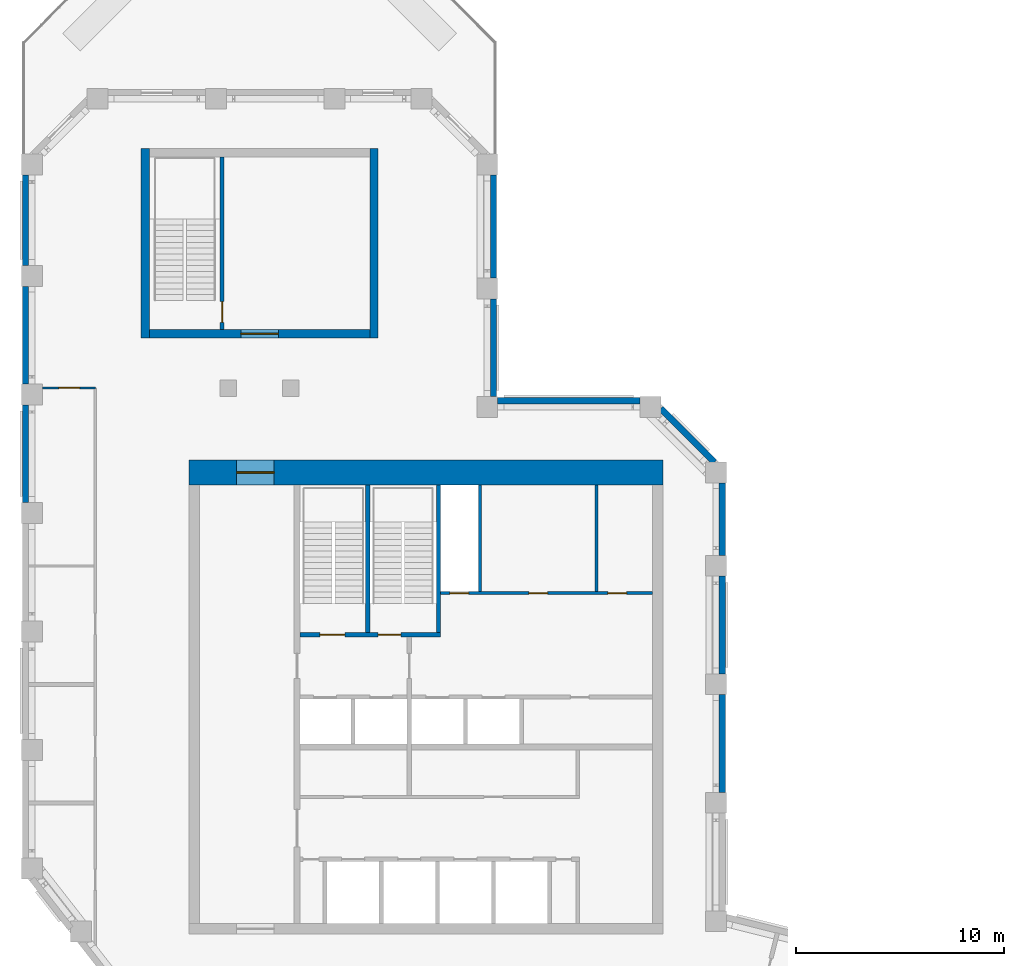
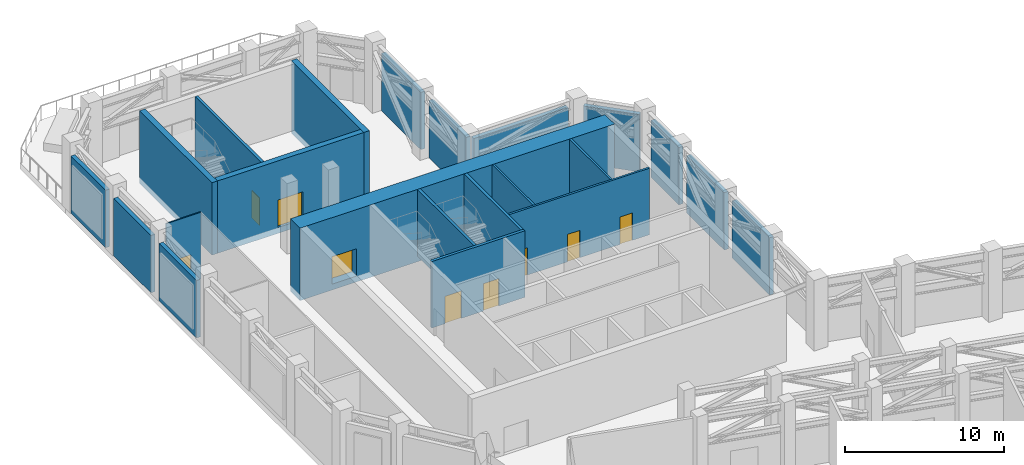
# One storey, part 6 of 8: 22 walls, 9 doors, 9 openings.
"""IFC4 building model written with IfcOpenShell, lengths in metres."""

from ifc_helpers import new_model, si_unit, direction, frame, frame_2d, origin, place, context, subcontext, project, spatial, rectangle, extrude, material, layer, layer_set, type_object, element, fill, save


model = new_model("IFC4")

# Units and contexts
model_context = context("Model", 3, precision=1e-05, world=origin(), true_north=direction((0.0, 1.0)))
body_context = subcontext(model_context, "Body", "Model", "MODEL_VIEW")
ifc_project = project(units=[si_unit("LENGTHUNIT", "METRE"), si_unit("AREAUNIT", "SQUARE_METRE"), si_unit("VOLUMEUNIT", "CUBIC_METRE"), si_unit("PLANEANGLEUNIT", "RADIAN"), si_unit("MASSUNIT", "GRAM", prefix="KILO")], contexts=[model_context])

# Site, building, storey
site_placement = place(None, origin())
site = spatial("IfcSite", under=ifc_project, at=site_placement, CompositionType="ELEMENT")
building_placement = place(site_placement, origin())
building = spatial("IfcBuilding", under=site, at=building_placement, Name="Meshkara Civic Tower", CompositionType="ELEMENT")
storey_placement = place(building_placement, frame((0.0, 0.0, 348.60009765625)))
storey = spatial("IfcBuildingStorey", under=building, at=storey_placement, Name="L80", CompositionType="ELEMENT", Elevation=348.60009765625)

# Wall, openings, doors
ifc_material_1 = material(Name="Blockwork", Category="masonry")
ifc_layer_1 = layer(ifc_material_1, 0.14990234375)
ifc_layer_set_1 = layer_set([ifc_layer_1], Name="Core partition 150")
wall_type_1 = type_object("IfcWallType", Name="Core partition 150", PredefinedType="PARTITIONING", material=ifc_layer_set_1)
wall_1_placement = place(storey_placement, frame((20.10009765625, 30.5, 0.0), z_axis=(0.0, 0.0, 1.0), x_axis=(1.0, 0.0, 0.0)))
wall_1 = element("IfcWall", 1, at=wall_1_placement, inside=storey, type_object=wall_type_1, Name="L80-C010", PredefinedType="PARTITIONING", context=body_context, shape_type="SweptSolid", body=[
    extrude(rectangle(XDim=10.199951171875, YDim=0.14990234375, at=frame_2d((5.10009765625, 0.0))), origin(), (0.0, 0.0, 1.0), 5.099853515625),
])
opening_1_placement = place(wall_1_placement, frame((0.449951171875, 0.0, 0.0)))
opening_1 = element("IfcOpeningElement", 2, at=opening_1_placement, cuts=wall_1, Name="Opening L80-K014", PredefinedType="OPENING", context=body_context, shape_type="SweptSolid", body=[
    extrude(rectangle(XDim=0.89990234375, YDim=2.10009765625, at=frame_2d((0.449951171875, 1.050048828125))), frame((0.0, 0.0849609375, 0.0), z_axis=(0.0, -1.0, 0.0), x_axis=(1.0, 0.0, 0.0)), (0.0, 0.0, 1.0), 0.169921875),
])
opening_2_placement = place(wall_1_placement, frame((4.25, 0.0, 0.0)))
opening_2 = element("IfcOpeningElement", 3, at=opening_2_placement, cuts=wall_1, Name="Opening L80-K015", PredefinedType="OPENING", context=body_context, shape_type="SweptSolid", body=[
    extrude(rectangle(XDim=0.89990234375, YDim=2.10009765625, at=frame_2d((0.449951171875, 1.050048828125))), frame((0.0, 0.0849609375, 0.0), z_axis=(0.0, -1.0, 0.0), x_axis=(1.0, 0.0, 0.0)), (0.0, 0.0, 1.0), 0.169921875),
])
opening_3_placement = place(wall_1_placement, frame((8.050048828125, 0.0, 0.0)))
opening_3 = element("IfcOpeningElement", 4, at=opening_3_placement, cuts=wall_1, Name="Opening L80-K016", PredefinedType="OPENING", context=body_context, shape_type="SweptSolid", body=[
    extrude(rectangle(XDim=0.89990234375, YDim=2.10009765625, at=frame_2d((0.449951171875, 1.050048828125))), frame((0.0, 0.0849609375, 0.0), z_axis=(0.0, -1.0, 0.0), x_axis=(1.0, 0.0, 0.0)), (0.0, 0.0, 1.0), 0.169921875),
])
ifc_material_2 = material(Name="Timber door leaf in steel frame", Category="steel")
door_type_1 = type_object("IfcDoorType", Name="Core room door 900", OperationType="SINGLE_SWING_LEFT", PredefinedType="DOOR", material=ifc_material_2)
door_1_placement = place(opening_2_placement, origin())
door_1 = element("IfcDoor", 5, at=door_1_placement, inside=storey, type_object=door_type_1, Name="L80-K015", OperationType="SINGLE_SWING_RIGHT", OverallHeight=2.10009765625, OverallWidth=0.89990234375, PredefinedType="DOOR", context=body_context, shape_type="SweptSolid", body=[
    extrude(rectangle(XDim=0.89990234375, YDim=2.10009765625, at=frame_2d((0.449951171875, 1.050048828125))), frame((0.0, 0.02490234375, 0.0), z_axis=(0.0, -1.0, 0.0), x_axis=(1.0, 0.0, 0.0)), (0.0, 0.0, 1.0), 0.050048828125),
])
fill(opening_2, door_1)
door_2_placement = place(opening_3_placement, origin())
door_2 = element("IfcDoor", 6, at=door_2_placement, inside=storey, type_object=door_type_1, Name="L80-K016", OperationType="SINGLE_SWING_RIGHT", OverallHeight=2.10009765625, OverallWidth=0.89990234375, PredefinedType="DOOR", context=body_context, shape_type="SweptSolid", body=[
    extrude(rectangle(XDim=0.89990234375, YDim=2.10009765625, at=frame_2d((0.449951171875, 1.050048828125))), frame((0.0, 0.02490234375, 0.0), z_axis=(0.0, -1.0, 0.0), x_axis=(1.0, 0.0, 0.0)), (0.0, 0.0, 1.0), 0.050048828125),
])
fill(opening_3, door_2)
ifc_material_3 = material(Name="Fire-rated door leaf in steel frame", Category="steel")
door_type_2 = type_object("IfcDoorType", Name="Riser door 900", OperationType="SINGLE_SWING_LEFT", PredefinedType="DOOR", material=ifc_material_3)
door_3_placement = place(opening_1_placement, origin())
door_3 = element("IfcDoor", 7, at=door_3_placement, inside=storey, type_object=door_type_2, Name="L80-K014", OperationType="SINGLE_SWING_RIGHT", OverallHeight=2.10009765625, OverallWidth=0.89990234375, PredefinedType="DOOR", context=body_context, shape_type="SweptSolid", body=[
    extrude(rectangle(XDim=0.89990234375, YDim=2.10009765625, at=frame_2d((0.449951171875, 1.050048828125))), frame((0.0, 0.02490234375, 0.0), z_axis=(0.0, -1.0, 0.0), x_axis=(1.0, 0.0, 0.0)), (0.0, 0.0, 1.0), 0.050048828125),
])
fill(opening_1, door_3)

# Walls
for number, where, z_axis, x_axis, name in (
    (8, (22.0, 30.574951171875, 0.0), (0.0, 0.0, 1.0), (0.0, 1.0, 0.0), "L80-C020"),
    (9, (27.60009765625, 30.574951171875, 0.0), (0.0, 0.0, 1.0), (0.0, 1.0, 0.0), "L80-C026"),
):
    element("IfcWall", number, at=place(storey_placement, frame(where, z_axis=z_axis, x_axis=x_axis)), inside=storey, type_object=wall_type_1, Name=name, PredefinedType="PARTITIONING", context=body_context, shape_type="SweptSolid", body=[
        extrude(rectangle(XDim=5.125, YDim=0.14990234375, at=frame_2d((2.5625, 0.0))), origin(), (0.0, 0.0, 1.0), 5.099853515625),
    ])

# Wall, opening, door
ifc_material_4 = material(Name="Concrete C60", Category="concrete")
ifc_layer_2 = layer(ifc_material_4, 1.199951171875)
ifc_layer_set_2 = layer_set([ifc_layer_2], Name="Core ring wall 1200 C60")
wall_type_2 = type_object("IfcWallType", Name="Core ring wall 1200 C60", PredefinedType="SHEAR", material=ifc_layer_set_2)
wall_2_placement = place(storey_placement, frame((8.0, 36.300048828125, -0.4501953125), z_axis=(0.0, 0.0, 1.0), x_axis=(1.0, 0.0, 0.0)))
wall_2 = element("IfcWall", 10, at=wall_2_placement, inside=storey, type_object=wall_type_2, Name="L80-C002", PredefinedType="SHEAR", context=body_context, shape_type="SweptSolid", body=[
    extrude(rectangle(XDim=22.800048828125, YDim=1.199951171875, at=frame_2d((11.39990234375, 0.0))), origin(), (0.0, 0.0, 1.0), 5.550048828125),
])
opening_4_placement = place(wall_2_placement, frame((2.300048828125, 0.0, 0.449951171875)))
opening_4 = element("IfcOpeningElement", 11, at=opening_4_placement, cuts=wall_2, Name="Opening L80-K022", PredefinedType="OPENING", context=body_context, shape_type="SweptSolid", body=[
    extrude(rectangle(XDim=1.800048828125, YDim=2.10009765625, at=frame_2d((0.89990234375, 1.050048828125))), frame((0.0, 0.60986328125, 0.0), z_axis=(0.0, -1.0, 0.0), x_axis=(1.0, 0.0, 0.0)), (0.0, 0.0, 1.0), 1.219970703125),
])
ifc_material_5 = material(Name="Fire-rated door leaf in steel frame", Category="steel")
door_type_3 = type_object("IfcDoorType", Name="Core double door 1800 EI 60", OperationType="DOUBLE_DOOR_SINGLE_SWING", PredefinedType="DOOR", material=ifc_material_5)
door_4_placement = place(opening_4_placement, origin())
door_4 = element("IfcDoor", 12, at=door_4_placement, inside=storey, type_object=door_type_3, Name="L80-K022", OperationType="DOUBLE_DOOR_SINGLE_SWING", OverallHeight=2.10009765625, OverallWidth=1.800048828125, PredefinedType="DOOR", context=body_context, shape_type="SweptSolid", body=[
    extrude(rectangle(XDim=1.800048828125, YDim=2.10009765625, at=frame_2d((0.89990234375, 1.050048828125))), frame((0.0, 0.02490234375, 0.0), z_axis=(0.0, -1.0, 0.0), x_axis=(1.0, 0.0, 0.0)), (0.0, 0.0, 1.0), 0.050048828125),
])
fill(opening_4, door_4)

ifc_material_6 = material(Name="Corridor wall 100")
ifc_layer_3 = layer(ifc_material_6, 0.10009765625)
ifc_layer_set_3 = layer_set([ifc_layer_3], Name="Corridor wall 100")
wall_type_3 = type_object("IfcWallType", Name="Corridor wall 100", PredefinedType="PARTITIONING", material=ifc_layer_set_3)
wall_3_placement = place(storey_placement, frame((0.969970703125, 40.3701171875, 0.0), z_axis=(0.0, 0.0, 1.0), x_axis=(1.0, 0.0, 0.0)))
wall_3 = element("IfcWall", 13, at=wall_3_placement, inside=storey, type_object=wall_type_3, Name="L80-R001", PredefinedType="PARTITIONING", context=body_context, shape_type="SweptSolid", body=[
    extrude(rectangle(XDim=2.530029296875, YDim=0.10009765625, at=frame_2d((1.26513671875, 0.0))), origin(), (0.0, 0.0, 1.0), 5.099853515625),
])
opening_5_placement = place(wall_3_placement, frame((0.780029296875, 0.0, 0.0)))
opening_5 = element("IfcOpeningElement", 14, at=opening_5_placement, cuts=wall_3, Name="Opening L80-P009", PredefinedType="OPENING", context=body_context, shape_type="SweptSolid", body=[
    extrude(rectangle(XDim=1.0, YDim=2.10009765625, at=frame_2d((0.5, 1.050048828125))), frame((0.0, 0.06005859375, 0.0), z_axis=(0.0, -1.0, 0.0), x_axis=(1.0, 0.0, 0.0)), (0.0, 0.0, 1.0), 0.1201171875),
])
ifc_material_7 = material(Name="Door 1000 x 2100")
door_type_4 = type_object("IfcDoorType", Name="Door 1000 x 2100", OperationType="SINGLE_SWING_LEFT", PredefinedType="DOOR", material=ifc_material_7)
door_5_placement = place(opening_5_placement, origin())
door_5 = element("IfcDoor", 15, at=door_5_placement, inside=storey, type_object=door_type_4, Name="L80-P009", OperationType="SINGLE_SWING_LEFT", OverallHeight=2.10009765625, OverallWidth=1.0, PredefinedType="DOOR", context=body_context, shape_type="SweptSolid", body=[
    extrude(rectangle(XDim=1.0, YDim=2.10009765625, at=frame_2d((0.5, 1.050048828125))), frame((0.0, 0.02490234375, 0.0), z_axis=(0.0, -1.0, 0.0), x_axis=(1.0, 0.0, 0.0)), (0.0, 0.0, 1.0), 0.050048828125),
])
fill(opening_5, door_5)

# Walls
ifc_material_8 = material(Name="Insulated infill panel with bronze anodised aluminium cladding", Category="aluminium")
ifc_layer_4 = layer(ifc_material_8, 0.300048828125)
ifc_layer_set_4 = layer_set([ifc_layer_4], Name="EXTERNAL INFILL WALL 300")
wall_type_4 = type_object("IfcWallType", Name="EXTERNAL INFILL WALL 300", PredefinedType="SOLIDWALL", material=ifc_layer_set_4)
for number, where, z_axis, x_axis, name in (
    (16, (33.64990234375, 20.9189453125, 0.0), (0.0, 0.0, 1.0), (0.0, 1.0, 0.0), "External wall"),
    (17, (33.64990234375, 26.6201171875, 0.0), (0.0, 0.0, 1.0), (0.0, 1.0, 0.0), "External wall"),
):
    element("IfcWall", number, at=place(storey_placement, frame(where, z_axis=z_axis, x_axis=x_axis)), inside=storey, type_object=wall_type_4, Name=name, PredefinedType="SOLIDWALL", context=body_context, shape_type="SweptSolid", body=[
        extrude(rectangle(XDim=4.698974609375, YDim=0.300048828125, at=frame_2d((2.349609375, 0.0))), origin(), (0.0, 0.0, 1.0), 4.39990234375),
    ])
wall_4_placement = place(storey_placement, frame((33.64990234375, 32.319091796875, 0.0), z_axis=(0.0, 0.0, 1.0), x_axis=(0.0, 1.0, 0.0)))
element("IfcWall", 18, at=wall_4_placement, inside=storey, type_object=wall_type_4, Name="External wall", PredefinedType="SOLIDWALL", context=body_context, shape_type="SweptSolid", body=[
    extrude(rectangle(XDim=3.474853515625, YDim=0.300048828125, at=frame_2d((1.7373046875, 0.0))), origin(), (0.0, 0.0, 1.0), 4.39990234375),
])
wall_5_placement = place(storey_placement, frame((33.27392578125, 36.7939453125, 0.0), z_axis=(0.0, 0.0, 1.0), x_axis=(-0.707073323722, 0.707140237068, 0.0)))
element("IfcWall", 19, at=wall_5_placement, inside=storey, type_object=wall_type_4, Name="External wall", PredefinedType="SOLIDWALL", context=body_context, shape_type="SweptSolid", body=[
    extrude(rectangle(XDim=3.648681640625, YDim=0.300048828125, at=frame_2d((1.82421875, 0.0))), origin(), (0.0, 0.0, 1.0), 4.39990234375),
])
wall_6_placement = place(storey_placement, frame((29.694091796875, 39.75, 0.0), z_axis=(0.0, 0.0, 1.0), x_axis=(-1.0, 0.0, 0.0)))
element("IfcWall", 20, at=wall_6_placement, inside=storey, type_object=wall_type_4, Name="External wall", PredefinedType="SOLIDWALL", context=body_context, shape_type="SweptSolid", body=[
    extrude(rectangle(XDim=6.843017578125, YDim=0.300048828125, at=frame_2d((3.42138671875, 0.0))), origin(), (0.0, 0.0, 1.0), 4.39990234375),
])
wall_7_placement = place(storey_placement, frame((22.64990234375, 39.950927734375, 0.0), z_axis=(0.0, 0.0, 1.0), x_axis=(0.0, 1.0, 0.0)))
element("IfcWall", 21, at=wall_7_placement, inside=storey, type_object=wall_type_4, Name="External wall", PredefinedType="SOLIDWALL", context=body_context, shape_type="SweptSolid", body=[
    extrude(rectangle(XDim=4.697998046875, YDim=0.300048828125, at=frame_2d((2.34912109375, 0.0))), origin(), (0.0, 0.0, 1.0), 4.39990234375),
])
wall_8_placement = place(storey_placement, frame((22.64990234375, 45.65087890625, 0.0), z_axis=(0.0, 0.0, 1.0), x_axis=(0.0, 1.0, 0.0)))
element("IfcWall", 22, at=wall_8_placement, inside=storey, type_object=wall_type_4, Name="External wall", PredefinedType="SOLIDWALL", context=body_context, shape_type="SweptSolid", body=[
    extrude(rectangle(XDim=4.962158203125, YDim=0.300048828125, at=frame_2d((2.48095703125, 0.0))), origin(), (0.0, 0.0, 1.0), 4.39990234375),
])
wall_9_placement = place(storey_placement, frame((0.14990234375, 50.613037109375, 0.0), z_axis=(0.0, 0.0, 1.0), x_axis=(0.0, -1.0, 0.0)))
element("IfcWall", 23, at=wall_9_placement, inside=storey, type_object=wall_type_4, Name="External wall", PredefinedType="SOLIDWALL", context=body_context, shape_type="SweptSolid", body=[
    extrude(rectangle(XDim=4.35693359375, YDim=0.300048828125, at=frame_2d((2.178466796875, 0.0))), origin(), (0.0, 0.0, 1.0), 4.39990234375),
])
for number, where, z_axis, x_axis, name in (
    (24, (0.14990234375, 45.2548828125, 0.0), (0.0, 0.0, 1.0), (0.0, -1.0, 0.0), "External wall"),
    (25, (0.14990234375, 39.553955078125, 0.0), (0.0, 0.0, 1.0), (0.0, -1.0, 0.0), "External wall"),
):
    element("IfcWall", number, at=place(storey_placement, frame(where, z_axis=z_axis, x_axis=x_axis)), inside=storey, type_object=wall_type_4, Name=name, PredefinedType="SOLIDWALL", context=body_context, shape_type="SweptSolid", body=[
        extrude(rectangle(XDim=4.698974609375, YDim=0.300048828125, at=frame_2d((2.349609375, 0.0))), origin(), (0.0, 0.0, 1.0), 4.39990234375),
    ])
ifc_material_9 = material(Name="Concrete C60", Category="concrete")
ifc_layer_5 = layer(ifc_material_9, 0.39990234375)
ifc_layer_set_5 = layer_set([ifc_layer_5], Name="End core ring wall 400 C60")
wall_type_5 = type_object("IfcWallType", Name="End core ring wall 400 C60", PredefinedType="SHEAR", material=ifc_layer_set_5)
for number, where, z_axis, x_axis, name in (
    (26, (5.89990234375, 42.77001953125, -0.4501953125), (0.0, 0.0, 1.0), (0.0, 1.0, 0.0), "L80-C027"),
    (27, (16.89990234375, 42.77001953125, -0.4501953125), (0.0, 0.0, 1.0), (0.0, 1.0, 0.0), "L80-C028"),
):
    element("IfcWall", number, at=place(storey_placement, frame(where, z_axis=z_axis, x_axis=x_axis)), inside=storey, type_object=wall_type_5, Name=name, PredefinedType="SHEAR", context=body_context, shape_type="SweptSolid", body=[
        extrude(rectangle(XDim=9.10009765625, YDim=0.39990234375, at=frame_2d((4.550048828125, 0.0))), origin(), (0.0, 0.0, 1.0), 5.550048828125),
    ])

# Wall, opening, door
wall_10_placement = place(storey_placement, frame((6.10009765625, 42.969970703125, -0.4501953125), z_axis=(0.0, 0.0, 1.0), x_axis=(1.0, 0.0, 0.0)))
wall_10 = element("IfcWall", 28, at=wall_10_placement, inside=storey, type_object=wall_type_5, Name="L80-C029", PredefinedType="SHEAR", context=body_context, shape_type="SweptSolid", body=[
    extrude(rectangle(XDim=10.599853515625, YDim=0.39990234375, at=frame_2d((5.2998046875, 0.0))), origin(), (0.0, 0.0, 1.0), 5.550048828125),
])
opening_6_placement = place(wall_10_placement, frame((4.39990234375, 0.0, 0.449951171875)))
opening_6 = element("IfcOpeningElement", 29, at=opening_6_placement, cuts=wall_10, Name="Opening L80-K102", PredefinedType="OPENING", context=body_context, shape_type="SweptSolid", body=[
    extrude(rectangle(XDim=1.800048828125, YDim=2.10009765625, at=frame_2d((0.89990234375, 1.050048828125))), frame((0.0, 0.2099609375, 0.0), z_axis=(0.0, -1.0, 0.0), x_axis=(1.0, 0.0, 0.0)), (0.0, 0.0, 1.0), 0.419921875),
])
door_6_placement = place(opening_6_placement, origin())
door_6 = element("IfcDoor", 30, at=door_6_placement, inside=storey, type_object=door_type_3, Name="L80-K102", OperationType="DOUBLE_DOOR_SINGLE_SWING", OverallHeight=2.10009765625, OverallWidth=1.800048828125, PredefinedType="DOOR", context=body_context, shape_type="SweptSolid", body=[
    extrude(rectangle(XDim=1.800048828125, YDim=2.10009765625, at=frame_2d((0.89990234375, 1.050048828125))), frame((0.0, 0.02490234375, 0.0), z_axis=(0.0, -1.0, 0.0), x_axis=(1.0, 0.0, 0.0)), (0.0, 0.0, 1.0), 0.050048828125),
])
fill(opening_6, door_6)

# Wall, openings, doors
ifc_material_10 = material(Name="Concrete C40/50", Category="concrete")
ifc_layer_6 = layer(ifc_material_10, 0.199951171875)
ifc_layer_set_6 = layer_set([ifc_layer_6], Name="Stair enclosure wall 200 C40/50")
wall_type_6 = type_object("IfcWallType", Name="Stair enclosure wall 200 C40/50", PredefinedType="SOLIDWALL", material=ifc_layer_set_6)
wall_11_placement = place(storey_placement, frame((13.35009765625, 28.5, 0.0), z_axis=(0.0, 0.0, 1.0), x_axis=(1.0, 0.0, 0.0)))
wall_11 = element("IfcWall", 31, at=wall_11_placement, inside=storey, type_object=wall_type_6, Name="L80-C009", PredefinedType="SOLIDWALL", context=body_context, shape_type="SweptSolid", body=[
    extrude(rectangle(XDim=6.75, YDim=0.199951171875, at=frame_2d((3.375, 0.0))), origin(), (0.0, 0.0, 1.0), 5.099853515625),
])
opening_7_placement = place(wall_11_placement, frame((0.949951171875, 0.0, 0.0)))
opening_7 = element("IfcOpeningElement", 32, at=opening_7_placement, cuts=wall_11, Name="Opening L80-K017", PredefinedType="OPENING", context=body_context, shape_type="SweptSolid", body=[
    extrude(rectangle(XDim=1.199951171875, YDim=2.10009765625, at=frame_2d((0.60009765625, 1.050048828125))), frame((0.0, 0.10986328125, 0.0), z_axis=(0.0, -1.0, 0.0), x_axis=(1.0, 0.0, 0.0)), (0.0, 0.0, 1.0), 0.219970703125),
])
opening_8_placement = place(wall_11_placement, frame((3.75, 0.0, 0.0)))
opening_8 = element("IfcOpeningElement", 33, at=opening_8_placement, cuts=wall_11, Name="Opening L80-K018", PredefinedType="OPENING", context=body_context, shape_type="SweptSolid", body=[
    extrude(rectangle(XDim=1.10009765625, YDim=2.10009765625, at=frame_2d((0.550048828125, 1.050048828125))), frame((0.0, 0.10986328125, 0.0), z_axis=(0.0, -1.0, 0.0), x_axis=(1.0, 0.0, 0.0)), (0.0, 0.0, 1.0), 0.219970703125),
])
ifc_material_11 = material(Name="Fire-rated door leaf in steel frame", Category="steel")
door_type_5 = type_object("IfcDoorType", Name="Stair door 1100 EI 120", OperationType="SINGLE_SWING_LEFT", PredefinedType="DOOR", material=ifc_material_11)
door_7_placement = place(opening_8_placement, origin())
door_7 = element("IfcDoor", 34, at=door_7_placement, inside=storey, type_object=door_type_5, Name="L80-K018", OperationType="SINGLE_SWING_LEFT", OverallHeight=2.10009765625, OverallWidth=1.10009765625, PredefinedType="DOOR", context=body_context, shape_type="SweptSolid", body=[
    extrude(rectangle(XDim=1.10009765625, YDim=2.10009765625, at=frame_2d((0.550048828125, 1.050048828125))), frame((0.0, 0.02490234375, 0.0), z_axis=(0.0, -1.0, 0.0), x_axis=(1.0, 0.0, 0.0)), (0.0, 0.0, 1.0), 0.050048828125),
])
fill(opening_8, door_7)
ifc_material_12 = material(Name="Fire-rated door leaf in steel frame", Category="steel")
door_type_6 = type_object("IfcDoorType", Name="Stair door 1200 EI 120", OperationType="SINGLE_SWING_LEFT", PredefinedType="DOOR", material=ifc_material_12)
door_8_placement = place(opening_7_placement, origin())
door_8 = element("IfcDoor", 35, at=door_8_placement, inside=storey, type_object=door_type_6, Name="L80-K017", OperationType="SINGLE_SWING_RIGHT", OverallHeight=2.10009765625, OverallWidth=1.199951171875, PredefinedType="DOOR", context=body_context, shape_type="SweptSolid", body=[
    extrude(rectangle(XDim=1.199951171875, YDim=2.10009765625, at=frame_2d((0.60009765625, 1.050048828125))), frame((0.0, 0.02490234375, 0.0), z_axis=(0.0, -1.0, 0.0), x_axis=(1.0, 0.0, 0.0)), (0.0, 0.0, 1.0), 0.050048828125),
])
fill(opening_7, door_8)

# Walls
for number, where, z_axis, x_axis, name in (
    (36, (16.60009765625, 28.60009765625, 0.0), (0.0, 0.0, 1.0), (0.0, 1.0, 0.0), "L80-C014"),
    (37, (20.0, 28.60009765625, 0.0), (0.0, 0.0, 1.0), (0.0, 1.0, 0.0), "L80-C018"),
):
    element("IfcWall", number, at=place(storey_placement, frame(where, z_axis=z_axis, x_axis=x_axis)), inside=storey, type_object=wall_type_6, Name=name, PredefinedType="SOLIDWALL", context=body_context, shape_type="SweptSolid", body=[
        extrude(rectangle(XDim=7.099853515625, YDim=0.199951171875, at=frame_2d((3.5498046875, 0.0))), origin(), (0.0, 0.0, 1.0), 5.099853515625),
    ])

# Wall, opening, door
wall_12_placement = place(storey_placement, frame((9.60009765625, 43.169921875, 0.0), z_axis=(0.0, 0.0, 1.0), x_axis=(0.0, 1.0, 0.0)))
wall_12 = element("IfcWall", 38, at=wall_12_placement, inside=storey, type_object=wall_type_6, Name="L80-C031", PredefinedType="SOLIDWALL", context=body_context, shape_type="SweptSolid", body=[
    extrude(rectangle(XDim=8.300048828125, YDim=0.199951171875, at=frame_2d((4.14990234375, 0.0))), origin(), (0.0, 0.0, 1.0), 5.099853515625),
])
opening_9_placement = place(wall_12_placement, frame((0.35009765625, 0.0, 0.0)))
opening_9 = element("IfcOpeningElement", 39, at=opening_9_placement, cuts=wall_12, Name="Opening L80-K101", PredefinedType="OPENING", context=body_context, shape_type="SweptSolid", body=[
    extrude(rectangle(XDim=1.0, YDim=2.10009765625, at=frame_2d((0.5, 1.050048828125))), frame((0.0, 0.10986328125, 0.0), z_axis=(0.0, -1.0, 0.0), x_axis=(1.0, 0.0, 0.0)), (0.0, 0.0, 1.0), 0.219970703125),
])
ifc_material_13 = material(Name="Fire-rated door leaf in steel frame", Category="steel")
door_type_7 = type_object("IfcDoorType", Name="Stair door 1000 EI 120", OperationType="SINGLE_SWING_LEFT", PredefinedType="DOOR", material=ifc_material_13)
door_9_placement = place(opening_9_placement, origin())
door_9 = element("IfcDoor", 40, at=door_9_placement, inside=storey, type_object=door_type_7, Name="L80-K101", OperationType="SINGLE_SWING_RIGHT", OverallHeight=2.10009765625, OverallWidth=1.0, PredefinedType="DOOR", context=body_context, shape_type="SweptSolid", body=[
    extrude(rectangle(XDim=1.0, YDim=2.10009765625, at=frame_2d((0.5, 1.050048828125))), frame((0.0, 0.02490234375, 0.0), z_axis=(0.0, -1.0, 0.0), x_axis=(1.0, 0.0, 0.0)), (0.0, 0.0, 1.0), 0.050048828125),
])
fill(opening_9, door_9)

save(model, "model.ifc")
